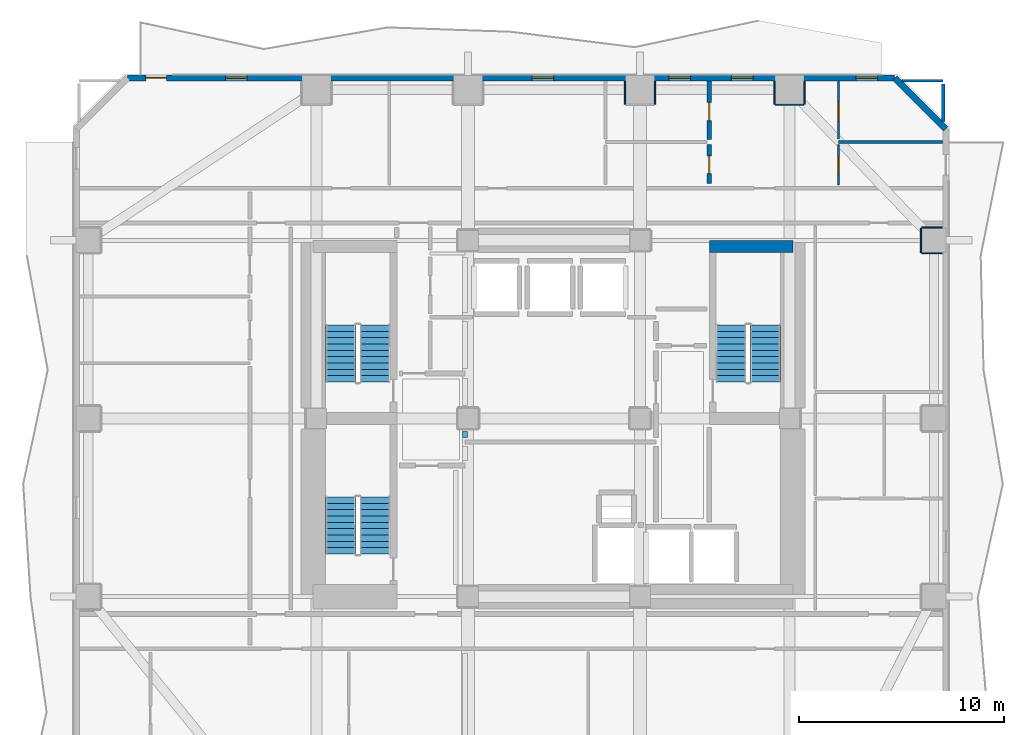
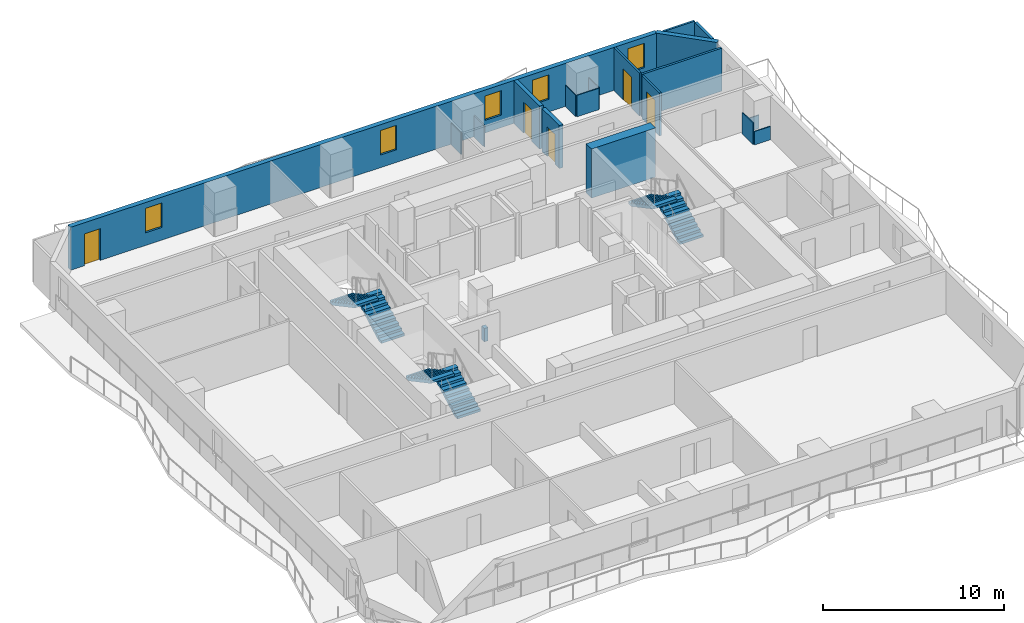
# One storey, part 6 of 10: 19 walls, 6 stair flights, 5 doors, 5 windows, 10 openings, 3 elements without a shape of their own.
"""IFC4 building model written with IfcOpenShell, lengths in metres."""

from ifc_helpers import new_model, si_unit, direction, frame, frame_2d, origin, place, context, subcontext, project, spatial, polyline, rectangle, outline, extrude, material, layer, layer_set, type_object, element, fill, aggregate, save


model = new_model("IFC4")

# Units and contexts
model_context = context("Model", 3, precision=1e-05, world=origin(), true_north=direction((0.0, 1.0)))
body_context = subcontext(model_context, "Body", "Model", "MODEL_VIEW")
ifc_project = project(units=[si_unit("LENGTHUNIT", "METRE"), si_unit("AREAUNIT", "SQUARE_METRE"), si_unit("VOLUMEUNIT", "CUBIC_METRE"), si_unit("PLANEANGLEUNIT", "RADIAN"), si_unit("MASSUNIT", "GRAM", prefix="KILO")], contexts=[model_context])

# Site, building, storey
site_placement = place(None, origin())
site = spatial("IfcSite", under=ifc_project, at=site_placement, CompositionType="ELEMENT")
building_placement = place(site_placement, origin())
building = spatial("IfcBuilding", under=site, at=building_placement, Name="Solanera Arch Residences", CompositionType="ELEMENT")
storey_placement = place(building_placement, frame((0.0, 0.0, 38.60009765625)))
storey = spatial("IfcBuildingStorey", under=building, at=storey_placement, Name="L10", CompositionType="ELEMENT", Elevation=38.60009765625)

# Walls
ifc_material_1 = material(Name="Fire-Rated Gypsum Stud Partition", Category="gypsum")
ifc_layer_1 = layer(ifc_material_1, 0.06005859375)
ifc_layer_set_1 = layer_set([ifc_layer_1], Name="Fire-Rated Gypsum Stud Partition")
wall_type_1 = type_object("IfcWallType", Name="Column Acoustic Furring Wall 60", PredefinedType="PARTITIONING", material=ifc_layer_set_1)
for number, where, z_axis, x_axis, name in (
    (1, (28.468017578125, 46.050048828125, 0.0), (0.0, 0.0, 1.0), (0.0, 1.0, 0.0), "L10 Column Furring 14W"),
    (2, (29.931884765625, 46.050048828125, 0.0), (0.0, 0.0, 1.0), (0.0, 1.0, 0.0), "L10 Column Furring 14E"),
):
    element("IfcWall", number, at=place(storey_placement, frame(where, z_axis=z_axis, x_axis=x_axis)), inside=storey, type_object=wall_type_1, Name=name, PredefinedType="PARTITIONING", context=body_context, shape_type="SweptSolid", body=[
        extrude(rectangle(XDim=1.119873046875, YDim=0.06005859375, at=frame_2d((0.56005859375, 0.0))), origin(), (0.0, 0.0, 1.0), 1.449951171875),
    ])
wall_1_placement = place(storey_placement, frame((35.800048828125, 46.01806640625, 0.0), z_axis=(0.0, 0.0, 1.0), x_axis=(1.0, 0.0, 0.0)))
element("IfcWall", 3, at=wall_1_placement, inside=storey, type_object=wall_type_1, Name="L10 Column Furring 16S", PredefinedType="PARTITIONING", context=body_context, shape_type="SweptSolid", body=[
    extrude(rectangle(XDim=1.39990234375, YDim=0.06005859375, at=frame_2d((0.699951171875, 0.0))), origin(), (0.0, 0.0, 1.0), 1.449951171875),
])
for number, where, z_axis, x_axis, name in (
    (4, (35.76806640625, 46.050048828125, 0.0), (0.0, 0.0, 1.0), (0.0, 1.0, 0.0), "L10 Column Furring 16W"),
    (5, (37.23193359375, 46.050048828125, 0.0), (0.0, 0.0, 1.0), (0.0, 1.0, 0.0), "L10 Column Furring 16E"),
):
    element("IfcWall", number, at=place(storey_placement, frame(where, z_axis=z_axis, x_axis=x_axis)), inside=storey, type_object=wall_type_1, Name=name, PredefinedType="PARTITIONING", context=body_context, shape_type="SweptSolid", body=[
        extrude(rectangle(XDim=1.119873046875, YDim=0.06005859375, at=frame_2d((0.56005859375, 0.0))), origin(), (0.0, 0.0, 1.0), 1.449951171875),
    ])
for number, where, z_axis, x_axis, name in (
    (6, (42.949951171875, 38.76806640625, 0.0), (0.0, 0.0, 1.0), (1.0, 0.0, 0.0), "L10 Column Furring 22S"),
    (7, (42.949951171875, 40.031982421875, 0.0), (0.0, 0.0, 1.0), (1.0, 0.0, 0.0), "L10 Column Furring 22N"),
):
    element("IfcWall", number, at=place(storey_placement, frame(where, z_axis=z_axis, x_axis=x_axis)), inside=storey, type_object=wall_type_1, Name=name, PredefinedType="PARTITIONING", context=body_context, shape_type="SweptSolid", body=[
        extrude(rectangle(XDim=1.02001953125, YDim=0.06005859375, at=frame_2d((0.510009765625, 0.0))), origin(), (0.0, 0.0, 1.0), 0.90478515625),
    ])
wall_2_placement = place(storey_placement, frame((42.91796875, 38.800048828125, 0.0), z_axis=(0.0, 0.0, 1.0), x_axis=(0.0, 1.0, 0.0)))
element("IfcWall", 8, at=wall_2_placement, inside=storey, type_object=wall_type_1, Name="L10 Column Furring 22W", PredefinedType="PARTITIONING", context=body_context, shape_type="SweptSolid", body=[
    extrude(rectangle(XDim=1.199951171875, YDim=0.06005859375, at=frame_2d((0.60009765625, 0.0))), origin(), (0.0, 0.0, 1.0), 1.449951171875),
])
ifc_material_2 = material(Name="Concrete C40/50 (f'c = 45 MPa)", Category="concrete")
ifc_layer_2 = layer(ifc_material_2, 0.60009765625)
ifc_layer_set_2 = layer_set([ifc_layer_2], Name="Concrete C40/50 (f'c = 45 MPa)")
wall_type_2 = type_object("IfcWallType", Name="Core Shear Wall CW-600", PredefinedType="SHEAR", material=ifc_layer_set_2)
wall_3_placement = place(storey_placement, frame((32.580078125, 39.10009765625, 0.0), z_axis=(0.0, 0.0, 1.0), x_axis=(1.0, 0.0, 0.0)))
element("IfcWall", 9, at=wall_3_placement, inside=storey, type_object=wall_type_2, Name="L10 North-East Core Shear Wall", PredefinedType="SHEAR", context=body_context, shape_type="SweptSolid", body=[
    extrude(rectangle(XDim=4.079833984375, YDim=0.60009765625, at=frame_2d((2.0400390625, 0.0))), origin(), (0.0, 0.0, 1.0), 3.31982421875),
])
ifc_material_3 = material(Name="Autoclaved Aerated Concrete Blockwork", Category="masonry")
ifc_layer_3 = layer(ifc_material_3, 0.179931640625)
ifc_layer_set_3 = layer_set([ifc_layer_3], Name="Autoclaved Aerated Concrete Blockwork")
wall_type_3 = type_object("IfcWallType", Name="Corridor Fire Partition 180", PredefinedType="PARTITIONING", material=ifc_layer_set_3)
wall_4_placement = place(storey_placement, frame((44.0, 45.198974609375, 0.0), z_axis=(0.0, 0.0, 1.0), x_axis=(0.0, 1.0, 0.0)))
element("IfcWall", 10, at=wall_4_placement, inside=storey, type_object=wall_type_3, Name="L10 Interior Partition V11 2", PredefinedType="PARTITIONING", context=body_context, shape_type="SweptSolid", body=[
    extrude(rectangle(XDim=1.843017578125, YDim=0.179931640625, at=frame_2d((0.92138671875, 0.0))), origin(), (0.0, 0.0, 1.0), 2.89990234375),
])

# Wall, openings, door, windows
ifc_material_4 = material(Name="Precast Concrete C35/45", Category="concrete")
ifc_layer_4 = layer(ifc_material_4, 0.300048828125)
ifc_layer_set_4 = layer_set([ifc_layer_4], Name="Precast Concrete C35/45")
wall_type_4 = type_object("IfcWallType", Name="Exterior Wall Precast Masonry-Frame 300", PredefinedType="STANDARD", material=ifc_layer_set_4)
wall_5_placement = place(storey_placement, frame((4.1650390625, 47.3349609375, 0.0), z_axis=(0.0, 0.0, 1.0), x_axis=(1.0, 0.0, 0.0)))
wall_5 = element("IfcWall", 11, at=wall_5_placement, inside=storey, type_object=wall_type_4, Name="L10 Tower Exterior Precast Masonry-Frame Wall N", PredefinedType="STANDARD", context=body_context, shape_type="SweptSolid", body=[
    extrude(rectangle(XDim=37.469970703125, YDim=0.300048828125, at=frame_2d((18.73486328125, 0.0))), origin(), (0.0, 0.0, 1.0), 2.89990234375),
])
opening_1_placement = place(wall_5_placement, frame((0.90087890625, 0.0, 0.0)))
opening_1 = element("IfcOpeningElement", 12, at=opening_1_placement, cuts=wall_5, Name="Opening DB-01", PredefinedType="OPENING", context=body_context, shape_type="SweptSolid", body=[
    extrude(rectangle(XDim=1.0, YDim=2.14990234375, at=frame_2d((0.5, 1.074951171875))), frame((0.0, 0.159912109375, 0.0), z_axis=(0.0, -1.0, 0.0), x_axis=(1.0, 0.0, 0.0)), (0.0, 0.0, 1.0), 0.32),
])
opening_2_placement = place(wall_5_placement, frame((4.79296875, 0.0, 0.85009765625)))
opening_2 = element("IfcOpeningElement", 13, at=opening_2_placement, cuts=wall_5, Name="Opening W-07", PredefinedType="OPENING", context=body_context, shape_type="SweptSolid", body=[
    extrude(rectangle(XDim=1.050048828125, YDim=1.64990234375, at=frame_2d((0.52490234375, 0.824951171875))), frame((0.0, 0.159912109375, 0.0), z_axis=(0.0, -1.0, 0.0), x_axis=(1.0, 0.0, 0.0)), (0.0, 0.0, 1.0), 0.32),
])
opening_3_placement = place(wall_5_placement, frame((19.77001953125, 0.0, 0.85009765625)))
opening_3 = element("IfcOpeningElement", 14, at=opening_3_placement, cuts=wall_5, Name="Opening W-07", PredefinedType="OPENING", context=body_context, shape_type="SweptSolid", body=[
    extrude(rectangle(XDim=1.050048828125, YDim=1.64990234375, at=frame_2d((0.52490234375, 0.824951171875))), frame((0.0, 0.159912109375, 0.0), z_axis=(0.0, -1.0, 0.0), x_axis=(1.0, 0.0, 0.0)), (0.0, 0.0, 1.0), 0.32),
])
opening_4_placement = place(wall_5_placement, frame((29.491943359375, 0.0, 0.85009765625)))
opening_4 = element("IfcOpeningElement", 15, at=opening_4_placement, cuts=wall_5, Name="Opening W-07", PredefinedType="OPENING", context=body_context, shape_type="SweptSolid", body=[
    extrude(rectangle(XDim=1.050048828125, YDim=1.64990234375, at=frame_2d((0.52490234375, 0.824951171875))), frame((0.0, 0.159912109375, 0.0), z_axis=(0.0, -1.0, 0.0), x_axis=(1.0, 0.0, 0.0)), (0.0, 0.0, 1.0), 0.32),
])
opening_5_placement = place(wall_5_placement, frame((26.44189453125, 0.0, 0.85009765625)))
opening_5 = element("IfcOpeningElement", 16, at=opening_5_placement, cuts=wall_5, Name="Opening W-07", PredefinedType="OPENING", context=body_context, shape_type="SweptSolid", body=[
    extrude(rectangle(XDim=1.050048828125, YDim=1.64990234375, at=frame_2d((0.52490234375, 0.824951171875))), frame((0.0, 0.159912109375, 0.0), z_axis=(0.0, -1.0, 0.0), x_axis=(1.0, 0.0, 0.0)), (0.0, 0.0, 1.0), 0.32),
])
opening_6_placement = place(wall_5_placement, frame((35.577880859375, 0.0, 0.85009765625)))
opening_6 = element("IfcOpeningElement", 17, at=opening_6_placement, cuts=wall_5, Name="Opening W-07", PredefinedType="OPENING", context=body_context, shape_type="SweptSolid", body=[
    extrude(rectangle(XDim=1.050048828125, YDim=1.64990234375, at=frame_2d((0.52490234375, 0.824951171875))), frame((0.0, 0.159912109375, 0.0), z_axis=(0.0, -1.0, 0.0), x_axis=(1.0, 0.0, 0.0)), (0.0, 0.0, 1.0), 0.32),
])
ifc_material_5 = material(Name="Anodised Aluminium Alloy 6063-T6", Category="aluminium")
door_type_1 = type_object("IfcDoorType", Name="Glazed Balcony Swing Door DB-01", OperationType="NOTDEFINED", PredefinedType="DOOR", material=ifc_material_5)
door_1_placement = place(opening_1_placement, origin())
door_1 = element("IfcDoor", 18, at=door_1_placement, inside=storey, type_object=door_type_1, Name="DR-L10-OUT-02", OperationType="SINGLE_SWING_LEFT", OverallHeight=2.14990234375, OverallWidth=1.0, PredefinedType="DOOR", context=body_context, shape_type="SweptSolid", body=[
    extrude(rectangle(XDim=1.0, YDim=2.14990234375, at=frame_2d((0.5, 1.074951171875))), frame((0.0, 0.02490234375, 0.0), z_axis=(0.0, -1.0, 0.0), x_axis=(1.0, 0.0, 0.0)), (0.0, 0.0, 1.0), 0.050048828125),
])
fill(opening_1, door_1)
ifc_material_6 = material(Name="Double Glazed Low-E Laminated Glass", Category="glass")
window_type = type_object("IfcWindowType", Name="Punched Window W-07", PartitioningType="SINGLE_PANEL", PredefinedType="WINDOW", material=ifc_material_6)
window_1_placement = place(opening_2_placement, origin())
window_1 = element("IfcWindow", 19, at=window_1_placement, inside=storey, type_object=window_type, Name="L10 AMN-MTG1 Punched Window", OverallHeight=1.64990234375, OverallWidth=1.050048828125, PartitioningType="SINGLE_PANEL", PredefinedType="WINDOW", context=body_context, shape_type="SweptSolid", body=[
    extrude(rectangle(XDim=1.050048828125, YDim=1.64990234375, at=frame_2d((0.52490234375, 0.824951171875))), frame((0.0, 0.030029296875, 0.0), z_axis=(0.0, -1.0, 0.0), x_axis=(1.0, 0.0, 0.0)), (0.0, 0.0, 1.0), 0.06005859375),
])
fill(opening_2, window_1)
window_2_placement = place(opening_3_placement, origin())
window_2 = element("IfcWindow", 20, at=window_2_placement, inside=storey, type_object=window_type, Name="L10 AMN-MTG2 Punched Window", OverallHeight=1.64990234375, OverallWidth=1.050048828125, PartitioningType="SINGLE_PANEL", PredefinedType="WINDOW", context=body_context, shape_type="SweptSolid", body=[
    extrude(rectangle(XDim=1.050048828125, YDim=1.64990234375, at=frame_2d((0.52490234375, 0.824951171875))), frame((0.0, 0.030029296875, 0.0), z_axis=(0.0, -1.0, 0.0), x_axis=(1.0, 0.0, 0.0)), (0.0, 0.0, 1.0), 0.06005859375),
])
fill(opening_3, window_2)
window_3_placement = place(opening_4_placement, origin())
window_3 = element("IfcWindow", 21, at=window_3_placement, inside=storey, type_object=window_type, Name="L10 1002-LIV Punched Window", OverallHeight=1.64990234375, OverallWidth=1.050048828125, PartitioningType="SINGLE_PANEL", PredefinedType="WINDOW", context=body_context, shape_type="SweptSolid", body=[
    extrude(rectangle(XDim=1.050048828125, YDim=1.64990234375, at=frame_2d((0.52490234375, 0.824951171875))), frame((0.0, 0.030029296875, 0.0), z_axis=(0.0, -1.0, 0.0), x_axis=(1.0, 0.0, 0.0)), (0.0, 0.0, 1.0), 0.06005859375),
])
fill(opening_4, window_3)
window_4_placement = place(opening_5_placement, origin())
window_4 = element("IfcWindow", 22, at=window_4_placement, inside=storey, type_object=window_type, Name="L10 1002-BR1 Punched Window", OverallHeight=1.64990234375, OverallWidth=1.050048828125, PartitioningType="SINGLE_PANEL", PredefinedType="WINDOW", context=body_context, shape_type="SweptSolid", body=[
    extrude(rectangle(XDim=1.050048828125, YDim=1.64990234375, at=frame_2d((0.52490234375, 0.824951171875))), frame((0.0, 0.030029296875, 0.0), z_axis=(0.0, -1.0, 0.0), x_axis=(1.0, 0.0, 0.0)), (0.0, 0.0, 1.0), 0.06005859375),
])
fill(opening_5, window_4)
window_5_placement = place(opening_6_placement, origin())
window_5 = element("IfcWindow", 23, at=window_5_placement, inside=storey, type_object=window_type, Name="L10 1002-BR2 Punched Window", OverallHeight=1.64990234375, OverallWidth=1.050048828125, PartitioningType="SINGLE_PANEL", PredefinedType="WINDOW", context=body_context, shape_type="SweptSolid", body=[
    extrude(rectangle(XDim=1.050048828125, YDim=1.64990234375, at=frame_2d((0.52490234375, 0.824951171875))), frame((0.0, 0.030029296875, 0.0), z_axis=(0.0, -1.0, 0.0), x_axis=(1.0, 0.0, 0.0)), (0.0, 0.0, 1.0), 0.06005859375),
])
fill(opening_6, window_5)

# Walls
wall_6_placement = place(storey_placement, frame((41.635009765625, 47.3349609375, 0.0), z_axis=(0.0, 0.0, 1.0), x_axis=(0.707106781187, -0.707106781187, 0.0)))
element("IfcWall", 24, at=wall_6_placement, inside=storey, type_object=wall_type_4, Name="L10 Tower Exterior Precast Masonry-Frame Wall CH3", PredefinedType="STANDARD", context=body_context, shape_type="SweptSolid", body=[
    extrude(rectangle(XDim=3.53564453125, YDim=0.300048828125, at=frame_2d((1.767822265625, 0.0))), origin(), (0.0, 0.0, 1.0), 2.89990234375),
])
ifc_material_7 = material(Name="Autoclaved Aerated Concrete Blockwork", Category="masonry")
ifc_layer_5 = layer(ifc_material_7, 0.239990234375)
ifc_layer_set_5 = layer_set([ifc_layer_5], Name="Autoclaved Aerated Concrete Blockwork")
wall_type_5 = type_object("IfcWallType", Name="Shaft Wall Fire-Rated 240", PredefinedType="PARTITIONING", material=ifc_layer_set_5)
wall_7_placement = place(storey_placement, frame((20.64990234375, 29.76806640625, 0.0), z_axis=(0.0, 0.0, 1.0), x_axis=(0.0, 1.0, 0.0)))
element("IfcWall", 25, at=wall_7_placement, inside=storey, type_object=wall_type_5, Name="L10 Interior Partition V4 2", PredefinedType="PARTITIONING", context=body_context, shape_type="SweptSolid", body=[
    extrude(rectangle(XDim=0.300048828125, YDim=0.239990234375, at=frame_2d((0.14990234375, 0.0))), origin(), (0.0, 0.0, 1.0), 0.90478515625),
])

# Wall, opening, door
wall_8_placement = place(storey_placement, frame((32.580078125, 42.16796875, 0.0), z_axis=(0.0, 0.0, 1.0), x_axis=(0.0, 1.0, 0.0)))
wall_8 = element("IfcWall", 26, at=wall_8_placement, inside=storey, type_object=wall_type_5, Name="L10 Interior Partition V7 1", PredefinedType="PARTITIONING", context=body_context, shape_type="SweptSolid", body=[
    extrude(rectangle(XDim=1.916015625, YDim=0.239990234375, at=frame_2d((0.9580078125, 0.0))), origin(), (0.0, 0.0, 1.0), 2.89990234375),
])
opening_7_placement = place(wall_8_placement, frame((0.493896484375, 0.0, 0.0)))
opening_7 = element("IfcOpeningElement", 27, at=opening_7_placement, cuts=wall_8, Name="Opening DI-05", PredefinedType="OPENING", context=body_context, shape_type="SweptSolid", body=[
    extrude(rectangle(XDim=0.860107421875, YDim=2.02001953125, at=frame_2d((0.43017578125, 1.010009765625))), frame((0.0, 0.1298828125, 0.0), z_axis=(0.0, -1.0, 0.0), x_axis=(1.0, 0.0, 0.0)), (0.0, 0.0, 1.0), 0.26),
])
ifc_material_8 = material(Name="Fire-Rated Architectural Hardwood", Category="wood")
door_type_2 = type_object("IfcDoorType", Name="Bathroom Swing Door DI-05", OperationType="NOTDEFINED", PredefinedType="DOOR", material=ifc_material_8)
door_2_placement = place(opening_7_placement, origin())
door_2 = element("IfcDoor", 28, at=door_2_placement, inside=storey, type_object=door_type_2, Name="DR-L10-IN-025", OperationType="SINGLE_SWING_RIGHT", OverallHeight=2.02001953125, OverallWidth=0.860107421875, PredefinedType="DOOR", context=body_context, shape_type="SweptSolid", body=[
    extrude(rectangle(XDim=0.860107421875, YDim=2.02001953125, at=frame_2d((0.43017578125, 1.010009765625))), frame((0.0, 0.02490234375, 0.0), z_axis=(0.0, -1.0, 0.0), x_axis=(1.0, 0.0, 0.0)), (0.0, 0.0, 1.0), 0.050048828125),
])
fill(opening_7, door_2)

wall_9_placement = place(storey_placement, frame((32.580078125, 44.33203125, 0.0), z_axis=(0.0, 0.0, 1.0), x_axis=(0.0, 1.0, 0.0)))
wall_9 = element("IfcWall", 29, at=wall_9_placement, inside=storey, type_object=wall_type_5, Name="L10 Interior Partition V7 2", PredefinedType="PARTITIONING", context=body_context, shape_type="SweptSolid", body=[
    extrude(rectangle(XDim=2.841064453125, YDim=0.239990234375, at=frame_2d((1.42041015625, 0.0))), origin(), (0.0, 0.0, 1.0), 2.89990234375),
])
opening_8_placement = place(wall_9_placement, frame((0.908935546875, 0.0, 0.0)))
opening_8 = element("IfcOpeningElement", 30, at=opening_8_placement, cuts=wall_9, Name="Opening DI-03", PredefinedType="OPENING", context=body_context, shape_type="SweptSolid", body=[
    extrude(rectangle(XDim=0.89990234375, YDim=2.10009765625, at=frame_2d((0.449951171875, 1.050048828125))), frame((0.0, 0.1298828125, 0.0), z_axis=(0.0, -1.0, 0.0), x_axis=(1.0, 0.0, 0.0)), (0.0, 0.0, 1.0), 0.26),
])
ifc_material_9 = material(Name="Fire-Rated Architectural Hardwood", Category="wood")
door_type_3 = type_object("IfcDoorType", Name="Bedroom Swing Door DI-03", OperationType="NOTDEFINED", PredefinedType="DOOR", material=ifc_material_9)
door_3_placement = place(opening_8_placement, origin())
door_3 = element("IfcDoor", 31, at=door_3_placement, inside=storey, type_object=door_type_3, Name="DR-L10-IN-026", OperationType="SINGLE_SWING_LEFT", OverallHeight=2.10009765625, OverallWidth=0.89990234375, PredefinedType="DOOR", context=body_context, shape_type="SweptSolid", body=[
    extrude(rectangle(XDim=0.89990234375, YDim=2.10009765625, at=frame_2d((0.449951171875, 1.050048828125))), frame((0.0, 0.02490234375, 0.0), z_axis=(0.0, -1.0, 0.0), x_axis=(1.0, 0.0, 0.0)), (0.0, 0.0, 1.0), 0.050048828125),
])
fill(opening_8, door_3)

# Wall
ifc_material_10 = material(Name="Fire-Rated Gypsum Stud Partition", Category="gypsum")
ifc_layer_6 = layer(ifc_material_10, 0.1201171875)
ifc_layer_set_6 = layer_set([ifc_layer_6], Name="Fire-Rated Gypsum Stud Partition")
wall_type_6 = type_object("IfcWallType", Name="Unit Drywall Partition 120", PredefinedType="PARTITIONING", material=ifc_layer_set_6)
wall_10_placement = place(storey_placement, frame((41.9990234375, 47.199951171875, 0.0), z_axis=(0.0, 0.0, 1.0), x_axis=(1.0, 0.0, 0.0)))
element("IfcWall", 32, at=wall_10_placement, inside=storey, type_object=wall_type_6, Name="L10 Interior Partition H21 2", PredefinedType="PARTITIONING", context=body_context, shape_type="SweptSolid", body=[
    extrude(rectangle(XDim=2.0009765625, YDim=0.1201171875, at=frame_2d((1.00048828125, 0.0))), origin(), (0.0, 0.0, 1.0), 2.89990234375),
])

# Wall, opening, door
wall_11_placement = place(storey_placement, frame((38.89111328125, 42.10791015625, 0.0), z_axis=(0.0, 0.0, 1.0), x_axis=(0.0, 1.0, 0.0)))
wall_11 = element("IfcWall", 33, at=wall_11_placement, inside=storey, type_object=wall_type_6, Name="L10 Interior Partition V22 1", PredefinedType="PARTITIONING", context=body_context, shape_type="SweptSolid", body=[
    extrude(rectangle(XDim=1.962158203125, YDim=0.1201171875, at=frame_2d((0.98095703125, 0.0))), origin(), (0.0, 0.0, 1.0), 2.89990234375),
])
opening_9_placement = place(wall_11_placement, frame((0.533935546875, 0.0, 0.0)))
opening_9 = element("IfcOpeningElement", 34, at=opening_9_placement, cuts=wall_11, Name="Opening DI-02", PredefinedType="OPENING", context=body_context, shape_type="SweptSolid", body=[
    extrude(rectangle(XDim=0.89990234375, YDim=2.10009765625, at=frame_2d((0.449951171875, 1.050048828125))), frame((0.0, 0.070068359375, 0.0), z_axis=(0.0, -1.0, 0.0), x_axis=(1.0, 0.0, 0.0)), (0.0, 0.0, 1.0), 0.1401),
])
ifc_material_11 = material(Name="Fire-Rated Architectural Hardwood", Category="wood")
door_type_4 = type_object("IfcDoorType", Name="Suite Room Swing Door DI-02", OperationType="NOTDEFINED", PredefinedType="DOOR", material=ifc_material_11)
door_4_placement = place(opening_9_placement, origin())
door_4 = element("IfcDoor", 35, at=door_4_placement, inside=storey, type_object=door_type_4, Name="DR-L10-IN-027", OperationType="SINGLE_SWING_RIGHT", OverallHeight=2.10009765625, OverallWidth=0.89990234375, PredefinedType="DOOR", context=body_context, shape_type="SweptSolid", body=[
    extrude(rectangle(XDim=0.89990234375, YDim=2.10009765625, at=frame_2d((0.449951171875, 1.050048828125))), frame((0.0, 0.02490234375, 0.0), z_axis=(0.0, -1.0, 0.0), x_axis=(1.0, 0.0, 0.0)), (0.0, 0.0, 1.0), 0.050048828125),
])
fill(opening_9, door_4)

wall_12_placement = place(storey_placement, frame((38.89111328125, 44.345947265625, 0.0), z_axis=(0.0, 0.0, 1.0), x_axis=(0.0, 1.0, 0.0)))
wall_12 = element("IfcWall", 36, at=wall_12_placement, inside=storey, type_object=wall_type_6, Name="L10 Interior Partition V22 2", PredefinedType="PARTITIONING", context=body_context, shape_type="SweptSolid", body=[
    extrude(rectangle(XDim=2.8271484375, YDim=0.1201171875, at=frame_2d((1.41357421875, 0.0))), origin(), (0.0, 0.0, 1.0), 2.89990234375),
])
opening_10_placement = place(wall_12_placement, frame((0.89501953125, 0.0, 0.0)))
opening_10 = element("IfcOpeningElement", 37, at=opening_10_placement, cuts=wall_12, Name="Opening DI-03", PredefinedType="OPENING", context=body_context, shape_type="SweptSolid", body=[
    extrude(rectangle(XDim=0.89990234375, YDim=2.10009765625, at=frame_2d((0.449951171875, 1.050048828125))), frame((0.0, 0.070068359375, 0.0), z_axis=(0.0, -1.0, 0.0), x_axis=(1.0, 0.0, 0.0)), (0.0, 0.0, 1.0), 0.1401),
])
door_5_placement = place(opening_10_placement, origin())
door_5 = element("IfcDoor", 38, at=door_5_placement, inside=storey, type_object=door_type_3, Name="DR-L10-IN-028", OperationType="SINGLE_SWING_LEFT", OverallHeight=2.10009765625, OverallWidth=0.89990234375, PredefinedType="DOOR", context=body_context, shape_type="SweptSolid", body=[
    extrude(rectangle(XDim=0.89990234375, YDim=2.10009765625, at=frame_2d((0.449951171875, 1.050048828125))), frame((0.0, 0.02490234375, 0.0), z_axis=(0.0, -1.0, 0.0), x_axis=(1.0, 0.0, 0.0)), (0.0, 0.0, 1.0), 0.050048828125),
])
fill(opening_10, door_5)

# Wall
ifc_material_12 = material(Name="Autoclaved Aerated Concrete Blockwork", Category="masonry")
ifc_layer_7 = layer(ifc_material_12, 0.139892578125)
ifc_layer_set_7 = layer_set([ifc_layer_7], Name="Autoclaved Aerated Concrete Blockwork")
wall_type_7 = type_object("IfcWallType", Name="Wet-Room Partition 140", PredefinedType="PARTITIONING", material=ifc_layer_set_7)
wall_13_placement = place(storey_placement, frame((38.89111328125, 44.2080078125, 0.0), z_axis=(0.0, 0.0, 1.0), x_axis=(1.0, 0.0, 0.0)))
element("IfcWall", 39, at=wall_13_placement, inside=storey, type_object=wall_type_7, Name="L10 Interior Partition H18", PredefinedType="PARTITIONING", context=body_context, shape_type="SweptSolid", body=[
    extrude(rectangle(XDim=5.081787109375, YDim=0.139892578125, at=frame_2d((2.541015625, 0.0))), origin(), (0.0, 0.0, 1.0), 2.89990234375),
])

# Stair, stair flights
ifc_material_13 = material(Name="Concrete C40/50 (f'c = 45 MPa)", Category="concrete")
stair_type = type_object("IfcStairType", Name="Tower Dogleg Exit Stair 1480", PredefinedType="HALF_TURN_STAIR", material=ifc_material_13)
stair_1_placement = place(storey_placement, origin())
stair_1 = element("IfcStair", 40, at=stair_1_placement, inside=storey, type_object=stair_type, Name="L10 Tower Core Exit Stair 1", PredefinedType="HALF_TURN_STAIR")
ifc_material_14 = material(Name="Concrete C40/50 (f'c = 45 MPa)", Category="concrete")
stair_flight_type = type_object("IfcStairFlightType", Name="Tower Precast Stair Flight 1480", PredefinedType="STRAIGHT", material=ifc_material_14)
stair_flight_1_placement = place(storey_placement, frame((16.260009765625, 32.47998046875, 0.0), z_axis=(0.0, 0.0, 1.0), x_axis=(0.0, 1.0, 0.0)))
stair_flight_1 = element("IfcStairFlight", 41, at=stair_flight_1_placement, type_object=stair_flight_type, Name="ST-T1 flight 1", NumberOfRisers=10, NumberOfTreads=9, PredefinedType="STRAIGHT", RiserHeight=0.166, TreadLength=0.31, context=body_context, shape_type="SweptSolid", body=[
    extrude(outline(polyline([(0.0, 0.0), (0.0, 0.166015625), (0.31005859375, 0.166015625), (0.31005859375, 0.33203125), (0.6201171875, 0.33203125), (0.6201171875, 0.498046875), (0.929931640625, 0.498046875), (0.929931640625, 0.6640625), (1.239990234375, 0.6640625), (1.239990234375, 0.830078125), (1.550048828125, 0.830078125), (1.550048828125, 0.99609375), (1.860107421875, 0.99609375), (1.860107421875, 1.162109375), (2.169921875, 1.162109375), (2.169921875, 1.327880859375), (2.47998046875, 1.327880859375), (2.47998046875, 1.493896484375), (2.7900390625, 1.493896484375), (2.7900390625, 1.659912109375), (2.7900390625, 1.323974609375), (0.317626953125, 0.0), (0.0, 0.0)])), frame((0.0, 0.739990234375, 0.0), z_axis=(0.0, -1.0, 0.0), x_axis=(1.0, 0.0, 0.0)), (0.0, 0.0, 1.0), 1.47998046875),
])
stair_flight_2_placement = place(storey_placement, frame((14.580078125, 35.27001953125, 1.659912109375), z_axis=(0.0, 0.0, 1.0), x_axis=(0.0, -1.0, 0.0)))
stair_flight_2 = element("IfcStairFlight", 42, at=stair_flight_2_placement, type_object=stair_flight_type, Name="ST-T1 flight 2", NumberOfRisers=10, NumberOfTreads=9, PredefinedType="STRAIGHT", RiserHeight=0.166, TreadLength=0.31, context=body_context, shape_type="SweptSolid", body=[
    extrude(outline(polyline([(0.0, 0.0), (0.0, 0.166015625), (0.31005859375, 0.166015625), (0.31005859375, 0.33203125), (0.6201171875, 0.33203125), (0.6201171875, 0.498046875), (0.929931640625, 0.498046875), (0.929931640625, 0.6640625), (1.239990234375, 0.6640625), (1.239990234375, 0.830078125), (1.550048828125, 0.830078125), (1.550048828125, 0.99609375), (1.860107421875, 0.99609375), (1.860107421875, 1.162109375), (2.169921875, 1.162109375), (2.169921875, 1.327880859375), (2.47998046875, 1.327880859375), (2.47998046875, 1.493896484375), (2.7900390625, 1.493896484375), (2.7900390625, 1.659912109375), (2.7900390625, 1.323974609375), (0.317626953125, 0.0), (0.0, 0.0)])), frame((0.0, 0.739990234375, 0.0), z_axis=(0.0, -1.0, 0.0), x_axis=(1.0, 0.0, 0.0)), (0.0, 0.0, 1.0), 1.47998046875),
])
aggregate(stair_1, [stair_flight_1, stair_flight_2])

stair_2_placement = place(storey_placement, origin())
stair_2 = element("IfcStair", 43, at=stair_2_placement, inside=storey, type_object=stair_type, Name="L10 Tower Core Exit Stair 2", PredefinedType="HALF_TURN_STAIR")
stair_flight_3_placement = place(storey_placement, frame((35.320068359375, 32.47998046875, 0.0), z_axis=(0.0, 0.0, 1.0), x_axis=(0.0, 1.0, 0.0)))
stair_flight_3 = element("IfcStairFlight", 44, at=stair_flight_3_placement, type_object=stair_flight_type, Name="ST-T2 flight 1", NumberOfRisers=10, NumberOfTreads=9, PredefinedType="STRAIGHT", RiserHeight=0.166, TreadLength=0.31, context=body_context, shape_type="SweptSolid", body=[
    extrude(outline(polyline([(0.0, 0.0), (0.0, 0.166015625), (0.31005859375, 0.166015625), (0.31005859375, 0.33203125), (0.6201171875, 0.33203125), (0.6201171875, 0.498046875), (0.929931640625, 0.498046875), (0.929931640625, 0.6640625), (1.239990234375, 0.6640625), (1.239990234375, 0.830078125), (1.550048828125, 0.830078125), (1.550048828125, 0.99609375), (1.860107421875, 0.99609375), (1.860107421875, 1.162109375), (2.169921875, 1.162109375), (2.169921875, 1.327880859375), (2.47998046875, 1.327880859375), (2.47998046875, 1.493896484375), (2.7900390625, 1.493896484375), (2.7900390625, 1.659912109375), (2.7900390625, 1.323974609375), (0.317626953125, 0.0), (0.0, 0.0)])), frame((0.0, 0.739990234375, 0.0), z_axis=(0.0, -1.0, 0.0), x_axis=(1.0, 0.0, 0.0)), (0.0, 0.0, 1.0), 1.47998046875),
])
stair_flight_4_placement = place(storey_placement, frame((33.639892578125, 35.27001953125, 1.659912109375), z_axis=(0.0, 0.0, 1.0), x_axis=(0.0, -1.0, 0.0)))
stair_flight_4 = element("IfcStairFlight", 45, at=stair_flight_4_placement, type_object=stair_flight_type, Name="ST-T2 flight 2", NumberOfRisers=10, NumberOfTreads=9, PredefinedType="STRAIGHT", RiserHeight=0.166, TreadLength=0.31, context=body_context, shape_type="SweptSolid", body=[
    extrude(outline(polyline([(0.0, 0.0), (0.0, 0.166015625), (0.31005859375, 0.166015625), (0.31005859375, 0.33203125), (0.6201171875, 0.33203125), (0.6201171875, 0.498046875), (0.929931640625, 0.498046875), (0.929931640625, 0.6640625), (1.239990234375, 0.6640625), (1.239990234375, 0.830078125), (1.550048828125, 0.830078125), (1.550048828125, 0.99609375), (1.860107421875, 0.99609375), (1.860107421875, 1.162109375), (2.169921875, 1.162109375), (2.169921875, 1.327880859375), (2.47998046875, 1.327880859375), (2.47998046875, 1.493896484375), (2.7900390625, 1.493896484375), (2.7900390625, 1.659912109375), (2.7900390625, 1.323974609375), (0.317626953125, 0.0), (0.0, 0.0)])), frame((0.0, 0.739990234375, 0.0), z_axis=(0.0, -1.0, 0.0), x_axis=(1.0, 0.0, 0.0)), (0.0, 0.0, 1.0), 1.47998046875),
])
aggregate(stair_2, [stair_flight_3, stair_flight_4])

stair_3_placement = place(storey_placement, origin())
stair_3 = element("IfcStair", 46, at=stair_3_placement, inside=storey, type_object=stair_type, Name="L10 Tower Core Exit Stair 3", PredefinedType="HALF_TURN_STAIR")
stair_flight_5_placement = place(storey_placement, frame((16.260009765625, 24.080078125, 0.0), z_axis=(0.0, 0.0, 1.0), x_axis=(0.0, 1.0, 0.0)))
stair_flight_5 = element("IfcStairFlight", 47, at=stair_flight_5_placement, type_object=stair_flight_type, Name="ST-T3 flight 1", NumberOfRisers=10, NumberOfTreads=9, PredefinedType="STRAIGHT", RiserHeight=0.166, TreadLength=0.31, context=body_context, shape_type="SweptSolid", body=[
    extrude(outline(polyline([(0.0, 0.0), (0.0, 0.166015625), (0.31005859375, 0.166015625), (0.31005859375, 0.33203125), (0.6201171875, 0.33203125), (0.6201171875, 0.498046875), (0.929931640625, 0.498046875), (0.929931640625, 0.6640625), (1.239990234375, 0.6640625), (1.239990234375, 0.830078125), (1.550048828125, 0.830078125), (1.550048828125, 0.99609375), (1.860107421875, 0.99609375), (1.860107421875, 1.162109375), (2.169921875, 1.162109375), (2.169921875, 1.327880859375), (2.47998046875, 1.327880859375), (2.47998046875, 1.493896484375), (2.7900390625, 1.493896484375), (2.7900390625, 1.659912109375), (2.7900390625, 1.323974609375), (0.317626953125, 0.0), (0.0, 0.0)])), frame((0.0, 0.739990234375, 0.0), z_axis=(0.0, -1.0, 0.0), x_axis=(1.0, 0.0, 0.0)), (0.0, 0.0, 1.0), 1.47998046875),
])
stair_flight_6_placement = place(storey_placement, frame((14.580078125, 26.8701171875, 1.659912109375), z_axis=(0.0, 0.0, 1.0), x_axis=(0.0, -1.0, 0.0)))
stair_flight_6 = element("IfcStairFlight", 48, at=stair_flight_6_placement, type_object=stair_flight_type, Name="ST-T3 flight 2", NumberOfRisers=10, NumberOfTreads=9, PredefinedType="STRAIGHT", RiserHeight=0.166, TreadLength=0.31, context=body_context, shape_type="SweptSolid", body=[
    extrude(outline(polyline([(0.0, 0.0), (0.0, 0.166015625), (0.31005859375, 0.166015625), (0.31005859375, 0.33203125), (0.6201171875, 0.33203125), (0.6201171875, 0.498046875), (0.929931640625, 0.498046875), (0.929931640625, 0.6640625), (1.239990234375, 0.6640625), (1.239990234375, 0.830078125), (1.550048828125, 0.830078125), (1.550048828125, 0.99609375), (1.860107421875, 0.99609375), (1.860107421875, 1.162109375), (2.169921875, 1.162109375), (2.169921875, 1.327880859375), (2.47998046875, 1.327880859375), (2.47998046875, 1.493896484375), (2.7900390625, 1.493896484375), (2.7900390625, 1.659912109375), (2.7900390625, 1.323974609375), (0.317626953125, 0.0), (0.0, 0.0)])), frame((0.0, 0.739990234375, 0.0), z_axis=(0.0, -1.0, 0.0), x_axis=(1.0, 0.0, 0.0)), (0.0, 0.0, 1.0), 1.47998046875),
])
aggregate(stair_3, [stair_flight_5, stair_flight_6])

save(model, "model.ifc")
